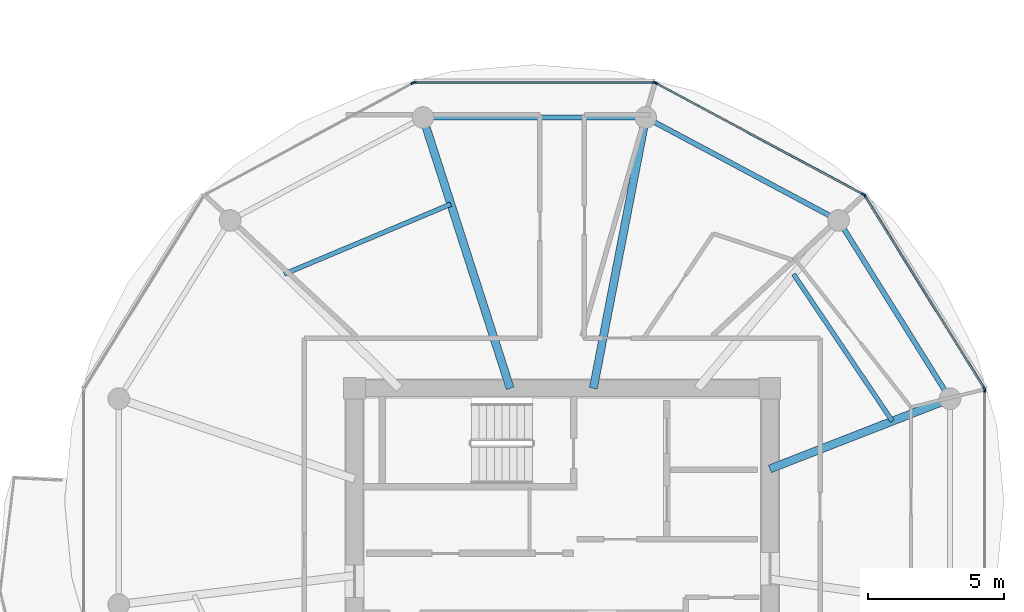
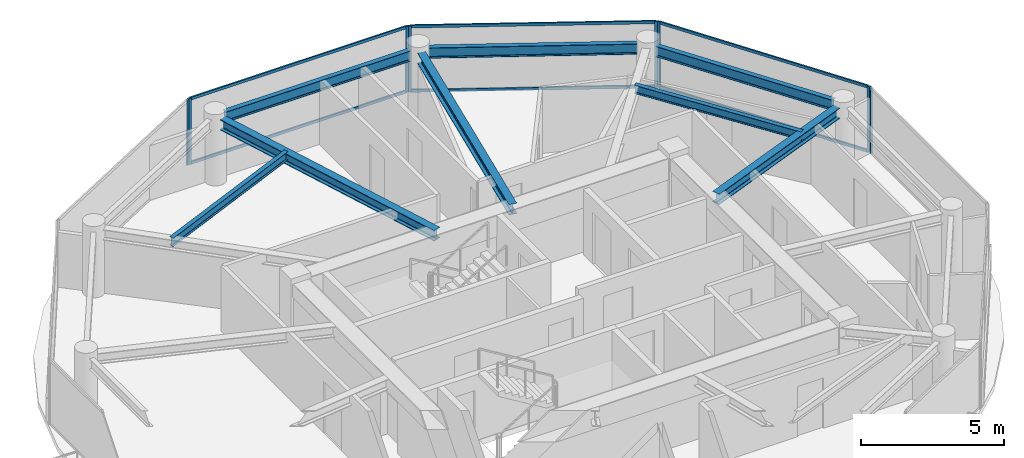
# One storey, part 10 of 21: 14 members, 8 beams, 5 elements without a shape of their own.
"""IFC4 building model written with IfcOpenShell, lengths in metres."""

from ifc_helpers import new_model, si_unit, direction, frame, origin, origin_2d, place, context, subcontext, project, spatial, rectangle, i_section, extrude, source, transform, mapped, material, layer, layer_set, material_profile, profile_set, type_object, type_shapes, element, aggregate, save


model = new_model("IFC4")

# Units and contexts
model_context = context("Model", 3, precision=1e-05, world=origin(), true_north=direction((0.0, 1.0)))
body_context = subcontext(model_context, "Body", "Model", "MODEL_VIEW")
ifc_project = project(units=[si_unit("LENGTHUNIT", "METRE"), si_unit("AREAUNIT", "SQUARE_METRE"), si_unit("VOLUMEUNIT", "CUBIC_METRE"), si_unit("PLANEANGLEUNIT", "RADIAN"), si_unit("MASSUNIT", "GRAM", prefix="KILO")], contexts=[model_context])

# Site, building, storey
site_placement = place(None, origin())
site = spatial("IfcSite", under=ifc_project, at=site_placement, CompositionType="ELEMENT")
building_placement = place(site_placement, origin())
building = spatial("IfcBuilding", under=site, at=building_placement, Name="Norrkilde Senior Care Towers", CompositionType="ELEMENT")
storey_placement = place(building_placement, frame((0.0, 0.0, 149.550048828125)))
storey = spatial("IfcBuildingStorey", under=building, at=storey_placement, Name="L46", CompositionType="ELEMENT", Elevation=149.550048828125)

# Beams
ifc_material_1 = material(Name="Steel S355", Category="steel")
ifc_material_profile_1 = material_profile(ifc_material_1, i_section(OverallWidth=0.18994140625, OverallDepth=0.449951171875, WebThickness=0.009521484375, FlangeThickness=0.0146484375, FilletRadius=0.02099609375, at=origin_2d()), Name="IPE 450")
ifc_profile_set_1 = profile_set([ifc_material_profile_1], Name="Steel S355")
beam_type_1 = type_object("IfcBeamType", Name="Perimeter Ring Spandrel Z3 IPE450", PredefinedType="SPANDREL", material=ifc_profile_set_1)
shared_shape_1 = source(origin(), body_context, "Body", "SweptSolid", [
    extrude(i_section(OverallWidth=0.18994140625, OverallDepth=0.449951171875, WebThickness=0.009521484375, FlangeThickness=0.0146484375, FilletRadius=0.02099609375, at=origin_2d()), origin(), (0.0, 0.0, 1.0), 7.0234375),
])
beam_1_placement = place(storey_placement, frame((42.09423828125, 5.872314453125, 2.5849609375), z_axis=(-0.529789577822, 0.848129119433, 0.0), x_axis=(-0.848129119433, -0.529789577822, 0.0)))
element("IfcBeam", 1, at=beam_1_placement, inside=storey, type_object=beam_type_1, Name="L46 Drum E Perimeter Spandrel 01", PredefinedType="SPANDREL", context=body_context, shape_type="MappedRepresentation", body=[
    mapped(shared_shape_1, transform((0.0, 0.0, 0.0), x_axis=(1.0, 0.0, 0.0), y_axis=(0.0, 1.0, 0.0), z_axis=(0.0, 0.0, 1.0), scale=1.0)),
])
shared_shape_2 = source(origin(), body_context, "Body", "SweptSolid", [
    extrude(i_section(OverallWidth=0.18994140625, OverallDepth=0.449951171875, WebThickness=0.009521484375, FlangeThickness=0.0146484375, FilletRadius=0.02099609375, at=origin_2d()), origin(), (0.0, 0.0, 1.0), 7.333740234375),
])
beam_2_placement = place(storey_placement, frame((37.864990234375, 12.303955078125, 2.5849609375), z_axis=(-0.882247866069, 0.470785198172, 0.0), x_axis=(-0.470785198172, -0.882247866069, 0.0)))
element("IfcBeam", 2, at=beam_2_placement, inside=storey, type_object=beam_type_1, Name="L46 Drum E Perimeter Spandrel 02", PredefinedType="SPANDREL", context=body_context, shape_type="MappedRepresentation", body=[
    mapped(shared_shape_2, transform((0.0, 0.0, 0.0), x_axis=(1.0, 0.0, 0.0), y_axis=(0.0, 1.0, 0.0), z_axis=(0.0, 0.0, 1.0), scale=1.0)),
])
shared_shape_3 = source(origin(), body_context, "Body", "SweptSolid", [
    extrude(i_section(OverallWidth=0.18994140625, OverallDepth=0.449951171875, WebThickness=0.009521484375, FlangeThickness=0.0146484375, FilletRadius=0.02099609375, at=origin_2d()), origin(), (0.0, 0.0, 1.0), 7.484619140625),
])
type_shapes(beam_type_1, [shared_shape_1, shared_shape_2, shared_shape_3])
beam_3_placement = place(storey_placement, frame((30.71728515625, 15.92626953125, 2.5849609375), z_axis=(-1.0, 0.0, 0.0), x_axis=(0.0, -1.0, 0.0)))
element("IfcBeam", 3, at=beam_3_placement, inside=storey, type_object=beam_type_1, Name="L46 Drum E Perimeter Spandrel 03", PredefinedType="SPANDREL", context=body_context, shape_type="MappedRepresentation", body=[
    mapped(shared_shape_3, transform((0.0, 0.0, 0.0), x_axis=(1.0, 0.0, 0.0), y_axis=(0.0, 1.0, 0.0), z_axis=(0.0, 0.0, 1.0), scale=1.0)),
])
ifc_material_profile_2 = material_profile(ifc_material_1, i_section(OverallWidth=0.300048828125, OverallDepth=0.449951171875, WebThickness=0.013916015625, FlangeThickness=0.02587890625, FilletRadius=0.027099609375, at=origin_2d()), Name="HEB 450")
ifc_profile_set_2 = profile_set([ifc_material_profile_2], Name="Steel S355")
beam_type_2 = type_object("IfcBeamType", Name="Radial Floor Beam Z3 HEB450", PredefinedType="BEAM", material=ifc_profile_set_2)
shared_shape_4 = source(origin(), body_context, "Body", "SweptSolid", [
    extrude(i_section(OverallWidth=0.300048828125, OverallDepth=0.449951171875, WebThickness=0.013916015625, FlangeThickness=0.02587890625, FilletRadius=0.027099609375, at=origin_2d()), origin(), (0.0, 0.0, 1.0), 10.120361328125),
])
beam_4_placement = place(storey_placement, frame((26.08447265625, 5.949951171875, 2.5849609375), z_axis=(-0.306440973744, 0.951889662519, 0.0), x_axis=(-0.951889662519, -0.306440973744, 0.0)))
element("IfcBeam", 4, at=beam_4_placement, inside=storey, type_object=beam_type_2, Name="L46 Drum E Radial Floor Beam 04", PredefinedType="BEAM", context=body_context, shape_type="MappedRepresentation", body=[
    mapped(shared_shape_4, transform((0.0, 0.0, 0.0), x_axis=(1.0, 0.0, 0.0), y_axis=(0.0, 1.0, 0.0), z_axis=(0.0, 0.0, 1.0), scale=1.0)),
])
shared_shape_5 = source(origin(), body_context, "Body", "SweptSolid", [
    extrude(i_section(OverallWidth=0.300048828125, OverallDepth=0.449951171875, WebThickness=0.013916015625, FlangeThickness=0.02587890625, FilletRadius=0.027099609375, at=origin_2d()), origin(), (0.0, 0.0, 1.0), 9.80078125),
])
beam_5_placement = place(storey_placement, frame((29.149658203125, 5.949951171875, 2.5849609375), z_axis=(0.189716727661, 0.98183886827, 0.0), x_axis=(-0.98183886827, 0.189716727661, 0.0)))
element("IfcBeam", 5, at=beam_5_placement, inside=storey, type_object=beam_type_2, Name="L46 Drum E Radial Floor Beam 03", PredefinedType="BEAM", context=body_context, shape_type="MappedRepresentation", body=[
    mapped(shared_shape_5, transform((0.0, 0.0, 0.0), x_axis=(1.0, 0.0, 0.0), y_axis=(0.0, 1.0, 0.0), z_axis=(0.0, 0.0, 1.0), scale=1.0)),
])
shared_shape_6 = source(origin(), body_context, "Body", "SweptSolid", [
    extrude(i_section(OverallWidth=0.300048828125, OverallDepth=0.449951171875, WebThickness=0.013916015625, FlangeThickness=0.02587890625, FilletRadius=0.027099609375, at=origin_2d()), origin(), (0.0, 0.0, 1.0), 6.760986328125),
])
type_shapes(beam_type_2, [shared_shape_4, shared_shape_5, shared_shape_6])
beam_6_placement = place(storey_placement, frame((35.64990234375, 2.981201171875, 2.5849609375), z_axis=(0.931742171387, 0.363120539297, 0.0), x_axis=(-0.363120539297, 0.931742171387, 0.0)))
element("IfcBeam", 6, at=beam_6_placement, inside=storey, type_object=beam_type_2, Name="L46 Drum E Radial Floor Beam 01", PredefinedType="BEAM", context=body_context, shape_type="MappedRepresentation", body=[
    mapped(shared_shape_6, transform((0.0, 0.0, 0.0), x_axis=(1.0, 0.0, 0.0), y_axis=(0.0, 1.0, 0.0), z_axis=(0.0, 0.0, 1.0), scale=1.0)),
])
ifc_material_profile_3 = material_profile(ifc_material_1, i_section(OverallWidth=0.169921875, OverallDepth=0.360107421875, WebThickness=0.008056640625, FlangeThickness=0.0126953125, FilletRadius=0.01806640625, at=origin_2d()), Name="IPE 360")
ifc_profile_set_3 = profile_set([ifc_material_profile_3], Name="Steel S355")
beam_type_3 = type_object("IfcBeamType", Name="Secondary Floor Joist IPE360", PredefinedType="JOIST", material=ifc_profile_set_3)
shared_shape_7 = source(origin(), body_context, "Body", "SweptSolid", [
    extrude(i_section(OverallWidth=0.169921875, OverallDepth=0.360107421875, WebThickness=0.008056640625, FlangeThickness=0.0126953125, FilletRadius=0.01806640625, at=origin_2d()), origin(), (0.0, 0.0, 1.0), 6.657470703125),
])
beam_7_placement = place(storey_placement, frame((23.900390625, 12.73388671875, 2.6298828125), z_axis=(-0.921958799252, -0.387287971, 0.0), x_axis=(0.387287971, -0.921958799252, 0.0)))
element("IfcBeam", 7, at=beam_7_placement, inside=storey, type_object=beam_type_3, Name="L46 Drum E Secondary Floor Joist 2", PredefinedType="JOIST", context=body_context, shape_type="MappedRepresentation", body=[
    mapped(shared_shape_7, transform((0.0, 0.0, 0.0), x_axis=(1.0, 0.0, 0.0), y_axis=(0.0, 1.0, 0.0), z_axis=(0.0, 0.0, 1.0), scale=1.0)),
])
shared_shape_8 = source(origin(), body_context, "Body", "SweptSolid", [
    extrude(i_section(OverallWidth=0.169921875, OverallDepth=0.360107421875, WebThickness=0.008056640625, FlangeThickness=0.0126953125, FilletRadius=0.01806640625, at=origin_2d()), origin(), (0.0, 0.0, 1.0), 6.525390625),
])
type_shapes(beam_type_3, [shared_shape_7, shared_shape_8])
beam_8_placement = place(storey_placement, frame((40.161865234375, 4.739501953125, 2.6298828125), z_axis=(-0.55779590102, 0.829978152005, 0.0), x_axis=(-0.829978152005, -0.55779590102, 0.0)))
element("IfcBeam", 8, at=beam_8_placement, inside=storey, type_object=beam_type_3, Name="L46 Drum E Secondary Floor Joist 1", PredefinedType="JOIST", context=body_context, shape_type="MappedRepresentation", body=[
    mapped(shared_shape_8, transform((0.0, 0.0, 0.0), x_axis=(1.0, 0.0, 0.0), y_axis=(0.0, 1.0, 0.0), z_axis=(0.0, 0.0, 1.0), scale=1.0)),
])

# Curtain wall, members
ifc_material_2 = material(Name="Triple Low-E Insulated Glazing", Category="glass")
ifc_layer = layer(ifc_material_2, 0.18994140625)
ifc_layer_set = layer_set([ifc_layer], Name="Triple Low-E Insulated Glazing")
curtain_wall_type = type_object("IfcCurtainWallType", Name="CW4 Zone 3 Senior Residence Curtain Wall", PredefinedType="NOTDEFINED", material=ifc_layer_set)
curtain_wall_1_placement = place(storey_placement, origin())
curtain_wall_1 = element("IfcCurtainWall", 9, at=curtain_wall_1_placement, inside=storey, type_object=curtain_wall_type, Name="L46 Drum E Curtain Wall 00", PredefinedType="NOTDEFINED")
ifc_material_3 = material(Name="Anodised Aluminium", Category="aluminium")
ifc_material_profile_4 = material_profile(ifc_material_3, rectangle(XDim=0.06494140625, YDim=0.14990234375, at=origin_2d()), Name="ALU MULL 65x150")
ifc_profile_set_4 = profile_set([ifc_material_profile_4], Name="Anodised Aluminium")
member_type_1 = type_object("IfcMemberType", Name="Curtain Wall Mullion Z3-Z4 65x150", PredefinedType="MULLION", material=ifc_profile_set_4)
shared_shape_9 = source(origin(), body_context, "Body", "SweptSolid", [
    extrude(rectangle(XDim=0.06494140625, YDim=0.14990234375, at=origin_2d()), origin(), (0.0, 0.0, 1.0), 2.81005859375),
])
type_shapes(member_type_1, [shared_shape_9])
member_1_placement = place(storey_placement, frame((39.14013671875, 13.04736328125, 0.0), z_axis=(0.0, 0.0, 1.0), x_axis=(0.84963405474, 0.52737270789, 0.0)))
member_1 = element("IfcMember", 10, at=member_1_placement, type_object=member_type_1, Name="CW-4 mullion 1", PredefinedType="MULLION", context=body_context, shape_type="MappedRepresentation", body=[
    mapped(shared_shape_9, transform((0.0, 0.0, 0.0), x_axis=(1.0, 0.0, 0.0), y_axis=(0.0, 1.0, 0.0), z_axis=(0.0, 0.0, 1.0), scale=1.0)),
])
member_2_placement = place(storey_placement, frame((43.552490234375, 5.93896484375, 0.0), z_axis=(0.0, 0.0, 1.0), x_axis=(0.84963405474, 0.52737270789, 0.0)))
member_2 = element("IfcMember", 11, at=member_2_placement, type_object=member_type_1, Name="CW-4 mullion 2", PredefinedType="MULLION", context=body_context, shape_type="MappedRepresentation", body=[
    mapped(shared_shape_9, transform((0.0, 0.0, 0.0), x_axis=(1.0, 0.0, 0.0), y_axis=(0.0, 1.0, 0.0), z_axis=(0.0, 0.0, 1.0), scale=1.0)),
])

curtain_wall_2_placement = place(storey_placement, origin())
curtain_wall_2 = element("IfcCurtainWall", 12, at=curtain_wall_2_placement, inside=storey, type_object=curtain_wall_type, Name="L46 Drum E Curtain Wall 01", PredefinedType="NOTDEFINED")
member_3_placement = place(storey_placement, frame((31.4501953125, 17.195556640625, 0.0), z_axis=(0.0, 0.0, 1.0), x_axis=(0.47311715104, 0.880999524059, 0.0)))
member_3 = element("IfcMember", 13, at=member_3_placement, type_object=member_type_1, Name="CW-4 mullion 1", PredefinedType="MULLION", context=body_context, shape_type="MappedRepresentation", body=[
    mapped(shared_shape_9, transform((0.0, 0.0, 0.0), x_axis=(1.0, 0.0, 0.0), y_axis=(0.0, 1.0, 0.0), z_axis=(0.0, 0.0, 1.0), scale=1.0)),
])
member_4_placement = place(storey_placement, frame((39.094482421875, 13.09033203125, 0.0), z_axis=(0.0, 0.0, 1.0), x_axis=(0.47311715104, 0.880999524059, 0.0)))
member_4 = element("IfcMember", 14, at=member_4_placement, type_object=member_type_1, Name="CW-4 mullion 2", PredefinedType="MULLION", context=body_context, shape_type="MappedRepresentation", body=[
    mapped(shared_shape_9, transform((0.0, 0.0, 0.0), x_axis=(1.0, 0.0, 0.0), y_axis=(0.0, 1.0, 0.0), z_axis=(0.0, 0.0, 1.0), scale=1.0)),
])

curtain_wall_3_placement = place(storey_placement, origin())
curtain_wall_3 = element("IfcCurtainWall", 15, at=curtain_wall_3_placement, inside=storey, type_object=curtain_wall_type, Name="L46 Drum E Curtain Wall 02", PredefinedType="NOTDEFINED")
member_5_placement = place(storey_placement, frame((22.56103515625, 17.2109375, 0.0), z_axis=(0.0, 0.0, 1.0), x_axis=(0.0, 1.0, 0.0)))
member_5 = element("IfcMember", 16, at=member_5_placement, type_object=member_type_1, Name="CW-4 mullion 1", PredefinedType="MULLION", context=body_context, shape_type="MappedRepresentation", body=[
    mapped(shared_shape_9, transform((0.0, 0.0, 0.0), x_axis=(1.0, 0.0, 0.0), y_axis=(0.0, 1.0, 0.0), z_axis=(0.0, 0.0, 1.0), scale=1.0)),
])
member_6_placement = place(storey_placement, frame((31.388916015625, 17.2109375, 0.0), z_axis=(0.0, 0.0, 1.0), x_axis=(0.0, 1.0, 0.0)))
member_6 = element("IfcMember", 17, at=member_6_placement, type_object=member_type_1, Name="CW-4 mullion 2", PredefinedType="MULLION", context=body_context, shape_type="MappedRepresentation", body=[
    mapped(shared_shape_9, transform((0.0, 0.0, 0.0), x_axis=(1.0, 0.0, 0.0), y_axis=(0.0, 1.0, 0.0), z_axis=(0.0, 0.0, 1.0), scale=1.0)),
])

# Curtain wall, member
curtain_wall_4_placement = place(storey_placement, origin())
curtain_wall_4 = element("IfcCurtainWall", 18, at=curtain_wall_4_placement, inside=storey, type_object=curtain_wall_type, Name="L46 Drum E Curtain Wall 03", PredefinedType="NOTDEFINED")
member_7_placement = place(storey_placement, frame((22.499755859375, 17.195556640625, 0.0), z_axis=(0.0, 0.0, 1.0), x_axis=(-0.47311715104, 0.880999524059, 0.0)))
member_7 = element("IfcMember", 19, at=member_7_placement, type_object=member_type_1, Name="CW-4 mullion 2", PredefinedType="MULLION", context=body_context, shape_type="MappedRepresentation", body=[
    mapped(shared_shape_9, transform((0.0, 0.0, 0.0), x_axis=(1.0, 0.0, 0.0), y_axis=(0.0, 1.0, 0.0), z_axis=(0.0, 0.0, 1.0), scale=1.0)),
])
aggregate(curtain_wall_4, [member_7])

curtain_wall_5_placement = place(storey_placement, origin())
curtain_wall_5 = element("IfcCurtainWall", 20, at=curtain_wall_5_placement, inside=storey, type_object=curtain_wall_type, Name="L46 Drum E Curtain Wall 11", PredefinedType="NOTDEFINED")
member_8_placement = place(storey_placement, frame((43.569580078125, 5.878662109375, 0.0), z_axis=(0.0, 0.0, 1.0), x_axis=(1.0, 0.0, 0.0)))
member_8 = element("IfcMember", 21, at=member_8_placement, type_object=member_type_1, Name="CW-4 mullion 1", PredefinedType="MULLION", context=body_context, shape_type="MappedRepresentation", body=[
    mapped(shared_shape_9, transform((0.0, 0.0, 0.0), x_axis=(1.0, 0.0, 0.0), y_axis=(0.0, 1.0, 0.0), z_axis=(0.0, 0.0, 1.0), scale=1.0)),
])
aggregate(curtain_wall_5, [member_8])

# Member
ifc_material_profile_5 = material_profile(ifc_material_3, rectangle(XDim=0.06005859375, YDim=0.1201171875, at=origin_2d()), Name="ALU TRAN 60x120")
ifc_profile_set_5 = profile_set([ifc_material_profile_5], Name="Anodised Aluminium")
member_type_2 = type_object("IfcMemberType", Name="Curtain Wall Transom Typical 60x120", PredefinedType="USERDEFINED", material=ifc_profile_set_5)
shared_shape_10 = source(origin(), body_context, "Body", "SweptSolid", [
    extrude(rectangle(XDim=0.06005859375, YDim=0.1201171875, at=origin_2d()), origin(), (0.0, 0.0, 1.0), 8.301513671875),
])
member_9_placement = place(storey_placement, frame((39.157470703125, 13.019775390625, 0.030029296875), z_axis=(0.527368718394, -0.849636531029, 0.0), x_axis=(0.849636531029, 0.527368718394, 0.0)))
member_9 = element("IfcMember", 22, at=member_9_placement, type_object=member_type_2, Name="CW-4 transom 1.1", ObjectType="TRANSOM", PredefinedType="USERDEFINED", context=body_context, shape_type="MappedRepresentation", body=[
    mapped(shared_shape_10, transform((0.0, 0.0, 0.0), x_axis=(1.0, 0.0, 0.0), y_axis=(0.0, 1.0, 0.0), z_axis=(0.0, 0.0, 1.0), scale=1.0)),
])

member_10_placement = place(storey_placement, frame((39.157470703125, 13.019775390625, 2.780029296875), z_axis=(0.527368718394, -0.849636531029, 0.0), x_axis=(0.849636531029, 0.527368718394, 0.0)))
member_10 = element("IfcMember", 23, at=member_10_placement, type_object=member_type_2, Name="CW-4 transom 1.2", ObjectType="TRANSOM", PredefinedType="USERDEFINED", context=body_context, shape_type="MappedRepresentation", body=[
    mapped(shared_shape_10, transform((0.0, 0.0, 0.0), x_axis=(1.0, 0.0, 0.0), y_axis=(0.0, 1.0, 0.0), z_axis=(0.0, 0.0, 1.0), scale=1.0)),
])

aggregate(curtain_wall_1, [member_1, member_2, member_9, member_10])

shared_shape_11 = source(origin(), body_context, "Body", "SweptSolid", [
    extrude(rectangle(XDim=0.06005859375, YDim=0.1201171875, at=origin_2d()), origin(), (0.0, 0.0, 1.0), 8.762939453125),
])
member_11_placement = place(storey_placement, frame((22.593505859375, 17.2109375, 0.030029296875), z_axis=(1.0, 0.0, 0.0), x_axis=(0.0, 1.0, 0.0)))
member_11 = element("IfcMember", 24, at=member_11_placement, type_object=member_type_2, Name="CW-4 transom 1.1", ObjectType="TRANSOM", PredefinedType="USERDEFINED", context=body_context, shape_type="MappedRepresentation", body=[
    mapped(shared_shape_11, transform((0.0, 0.0, 0.0), x_axis=(1.0, 0.0, 0.0), y_axis=(0.0, 1.0, 0.0), z_axis=(0.0, 0.0, 1.0), scale=1.0)),
])

member_12_placement = place(storey_placement, frame((22.593505859375, 17.2109375, 2.780029296875), z_axis=(1.0, 0.0, 0.0), x_axis=(0.0, 1.0, 0.0)))
member_12 = element("IfcMember", 25, at=member_12_placement, type_object=member_type_2, Name="CW-4 transom 1.2", ObjectType="TRANSOM", PredefinedType="USERDEFINED", context=body_context, shape_type="MappedRepresentation", body=[
    mapped(shared_shape_11, transform((0.0, 0.0, 0.0), x_axis=(1.0, 0.0, 0.0), y_axis=(0.0, 1.0, 0.0), z_axis=(0.0, 0.0, 1.0), scale=1.0)),
])

aggregate(curtain_wall_3, [member_5, member_6, member_11, member_12])

shared_shape_12 = source(origin(), body_context, "Body", "SweptSolid", [
    extrude(rectangle(XDim=0.06005859375, YDim=0.1201171875, at=origin_2d()), origin(), (0.0, 0.0, 1.0), 8.612060546875),
])
type_shapes(member_type_2, [shared_shape_10, shared_shape_11, shared_shape_12])
member_13_placement = place(storey_placement, frame((31.478759765625, 17.18017578125, 0.030029296875), z_axis=(0.881000337462, -0.473115636384, 0.0), x_axis=(0.473115636384, 0.881000337462, 0.0)))
member_13 = element("IfcMember", 26, at=member_13_placement, type_object=member_type_2, Name="CW-4 transom 1.1", ObjectType="TRANSOM", PredefinedType="USERDEFINED", context=body_context, shape_type="MappedRepresentation", body=[
    mapped(shared_shape_12, transform((0.0, 0.0, 0.0), x_axis=(1.0, 0.0, 0.0), y_axis=(0.0, 1.0, 0.0), z_axis=(0.0, 0.0, 1.0), scale=1.0)),
])

member_14_placement = place(storey_placement, frame((31.478759765625, 17.18017578125, 2.780029296875), z_axis=(0.881000337462, -0.473115636384, 0.0), x_axis=(0.473115636384, 0.881000337462, 0.0)))
member_14 = element("IfcMember", 27, at=member_14_placement, type_object=member_type_2, Name="CW-4 transom 1.2", ObjectType="TRANSOM", PredefinedType="USERDEFINED", context=body_context, shape_type="MappedRepresentation", body=[
    mapped(shared_shape_12, transform((0.0, 0.0, 0.0), x_axis=(1.0, 0.0, 0.0), y_axis=(0.0, 1.0, 0.0), z_axis=(0.0, 0.0, 1.0), scale=1.0)),
])

aggregate(curtain_wall_2, [member_3, member_4, member_13, member_14])

save(model, "model.ifc")
